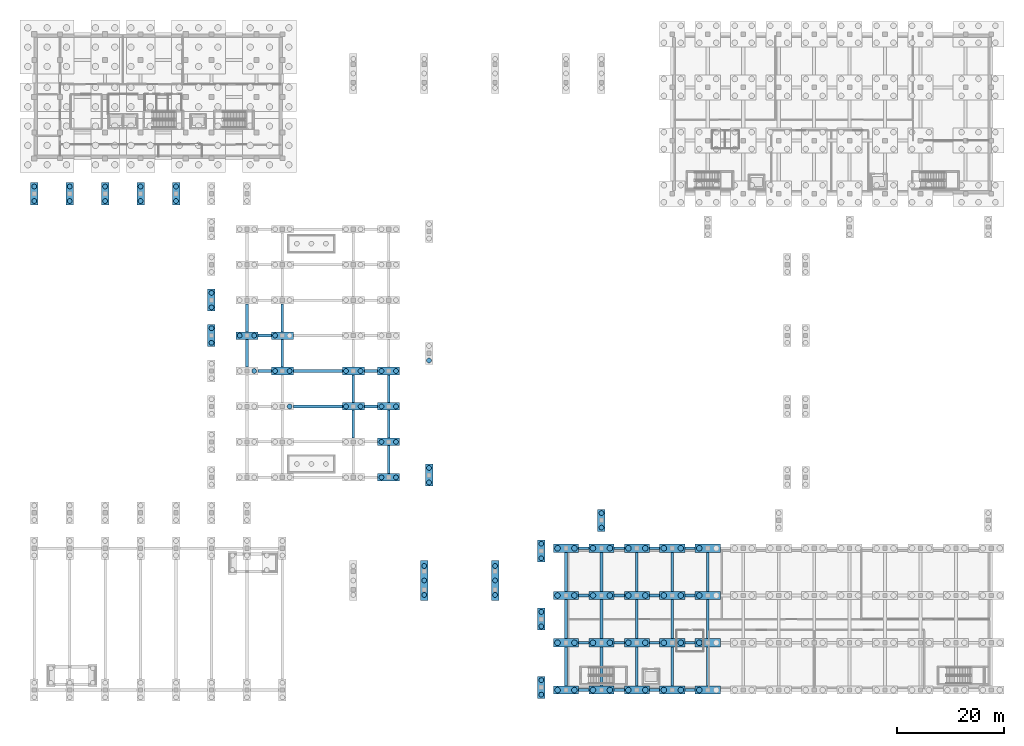
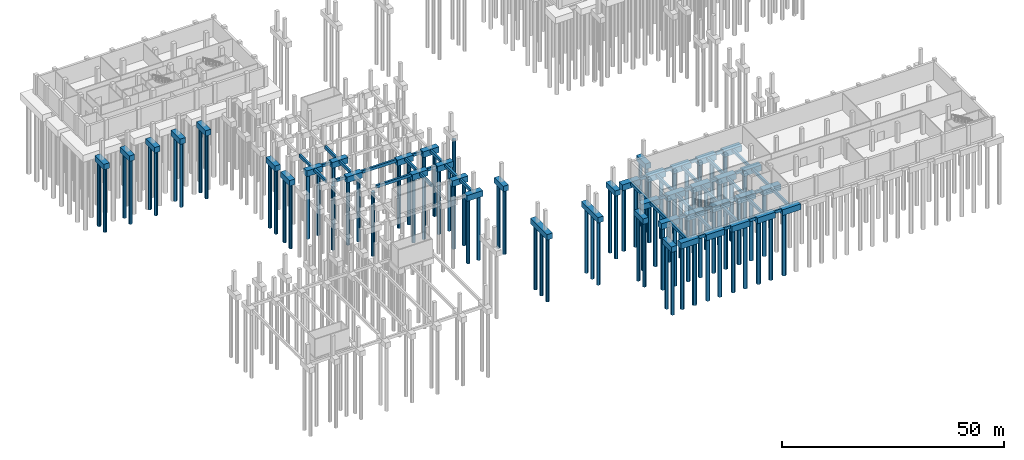
# One storey, part 2 of 23: 89 footings, 86 piles.
"""IFC4 building model written with IfcOpenShell, lengths in metres."""

from ifc_helpers import new_model, si_unit, direction, frame, origin, origin_2d, place, context, subcontext, project, spatial, rectangle, circle, extrude, material, material_profile, profile_set, type_object, element, save


model = new_model("IFC4")

# Units and contexts
model_context = context("Model", 3, precision=1e-05, world=origin(), true_north=direction((0.0, 1.0)))
body_context = subcontext(model_context, "Body", "Model", "MODEL_VIEW")
ifc_project = project(units=[si_unit("LENGTHUNIT", "METRE"), si_unit("AREAUNIT", "SQUARE_METRE"), si_unit("VOLUMEUNIT", "CUBIC_METRE"), si_unit("PLANEANGLEUNIT", "RADIAN"), si_unit("MASSUNIT", "GRAM", prefix="KILO")], contexts=[model_context])

# Site, building, storey
site_placement = place(None, origin())
site = spatial("IfcSite", under=ifc_project, at=site_placement, CompositionType="ELEMENT")
building_placement = place(site_placement, origin())
building = spatial("IfcBuilding", under=site, at=building_placement, Name="Dornvale Research Institute", CompositionType="ELEMENT")
storey_placement = place(building_placement, frame((0.0, 0.0, -5.39990234375)))
storey = spatial("IfcBuildingStorey", under=building, at=storey_placement, Name="B1", CompositionType="ELEMENT", Elevation=-5.39990234375)

# Piles
ifc_material_1 = material(Name="Concrete f'c 35 MPa (C30/37)", Category="concrete")
ifc_material_profile_1 = material_profile(ifc_material_1, circle(Radius=0.52490234375, at=origin_2d()), Name="CIDH PILE D1050")
ifc_profile_set_1 = profile_set([ifc_material_profile_1], Name="Concrete f'c 35 MPa (C30/37)")
pile_type_1 = type_object("IfcPileType", Name="BoredPile_CIDH_1050", PredefinedType="BORED", material=ifc_profile_set_1)
for number, where, z_axis, x_axis, name in (
    (1, (97.425048828125, 0.0, -1.97998046875), (0.0, 0.0, -1.0), (1.0, 0.0, 0.0), "CIDH bored pile P-02 #19"),
    (2, (100.574951171875, 0.0, -1.97998046875), (0.0, 0.0, -1.0), (1.0, 0.0, 0.0), "CIDH bored pile P-02 #20"),
    (3, (104.02490234375, 0.0, -1.97998046875), (0.0, 0.0, -1.0), (1.0, 0.0, 0.0), "CIDH bored pile P-02 #21"),
    (4, (107.175048828125, 0.0, -1.97998046875), (0.0, 0.0, -1.0), (1.0, 0.0, 0.0), "CIDH bored pile P-02 #22"),
    (5, (110.625, 0.0, -1.97998046875), (0.0, 0.0, -1.0), (1.0, 0.0, 0.0), "CIDH bored pile P-02 #23"),
    (6, (113.77490234375, 0.0, -1.97998046875), (0.0, 0.0, -1.0), (1.0, 0.0, 0.0), "CIDH bored pile P-02 #24"),
    (7, (117.22509765625, 0.0, -1.97998046875), (0.0, 0.0, -1.0), (1.0, 0.0, 0.0), "CIDH bored pile P-02 #25"),
    (8, (120.375, 0.0, -1.97998046875), (0.0, 0.0, -1.0), (1.0, 0.0, 0.0), "CIDH bored pile P-02 #26"),
    (9, (123.824951171875, 0.0, -1.97998046875), (0.0, 0.0, -1.0), (1.0, 0.0, 0.0), "CIDH bored pile P-02 #27"),
    (10, (97.425048828125, 8.804931640625, -1.97998046875), (0.0, 0.0, -1.0), (1.0, 0.0, 0.0), "CIDH bored pile P-02 #45"),
    (11, (100.574951171875, 8.804931640625, -1.97998046875), (0.0, 0.0, -1.0), (1.0, 0.0, 0.0), "CIDH bored pile P-02 #46"),
    (12, (104.02490234375, 8.804931640625, -1.97998046875), (0.0, 0.0, -1.0), (1.0, 0.0, 0.0), "CIDH bored pile P-02 #47"),
    (13, (107.175048828125, 8.804931640625, -1.97998046875), (0.0, 0.0, -1.0), (1.0, 0.0, 0.0), "CIDH bored pile P-02 #48"),
    (14, (110.625, 8.804931640625, -1.97998046875), (0.0, 0.0, -1.0), (1.0, 0.0, 0.0), "CIDH bored pile P-02 #49"),
    (15, (113.77490234375, 8.804931640625, -1.97998046875), (0.0, 0.0, -1.0), (1.0, 0.0, 0.0), "CIDH bored pile P-02 #50"),
    (16, (117.22509765625, 8.804931640625, -1.97998046875), (0.0, 0.0, -1.0), (1.0, 0.0, 0.0), "CIDH bored pile P-02 #51"),
    (17, (120.375, 8.804931640625, -1.97998046875), (0.0, 0.0, -1.0), (1.0, 0.0, 0.0), "CIDH bored pile P-02 #52"),
    (18, (123.824951171875, 8.804931640625, -1.97998046875), (0.0, 0.0, -1.0), (1.0, 0.0, 0.0), "CIDH bored pile P-02 #53"),
    (19, (97.425048828125, 17.60498046875, -1.97998046875), (0.0, 0.0, -1.0), (1.0, 0.0, 0.0), "CIDH bored pile P-02 #73"),
    (20, (100.574951171875, 17.60498046875, -1.97998046875), (0.0, 0.0, -1.0), (1.0, 0.0, 0.0), "CIDH bored pile P-02 #74"),
    (21, (104.02490234375, 17.60498046875, -1.97998046875), (0.0, 0.0, -1.0), (1.0, 0.0, 0.0), "CIDH bored pile P-02 #75"),
    (22, (107.175048828125, 17.60498046875, -1.97998046875), (0.0, 0.0, -1.0), (1.0, 0.0, 0.0), "CIDH bored pile P-02 #76"),
    (23, (110.625, 17.60498046875, -1.97998046875), (0.0, 0.0, -1.0), (1.0, 0.0, 0.0), "CIDH bored pile P-02 #77"),
    (24, (113.77490234375, 17.60498046875, -1.97998046875), (0.0, 0.0, -1.0), (1.0, 0.0, 0.0), "CIDH bored pile P-02 #78"),
    (25, (117.22509765625, 17.60498046875, -1.97998046875), (0.0, 0.0, -1.0), (1.0, 0.0, 0.0), "CIDH bored pile P-02 #79"),
    (26, (120.375, 17.60498046875, -1.97998046875), (0.0, 0.0, -1.0), (1.0, 0.0, 0.0), "CIDH bored pile P-02 #80"),
    (27, (123.824951171875, 17.60498046875, -1.97998046875), (0.0, 0.0, -1.0), (1.0, 0.0, 0.0), "CIDH bored pile P-02 #81"),
    (28, (97.425048828125, 26.39501953125, -1.97998046875), (0.0, 0.0, -1.0), (1.0, 0.0, 0.0), "CIDH bored pile P-02 #117"),
    (29, (100.574951171875, 26.39501953125, -1.97998046875), (0.0, 0.0, -1.0), (1.0, 0.0, 0.0), "CIDH bored pile P-02 #118"),
    (30, (104.02490234375, 26.39501953125, -1.97998046875), (0.0, 0.0, -1.0), (1.0, 0.0, 0.0), "CIDH bored pile P-02 #119"),
    (31, (107.175048828125, 26.39501953125, -1.97998046875), (0.0, 0.0, -1.0), (1.0, 0.0, 0.0), "CIDH bored pile P-02 #120"),
    (32, (110.625, 26.39501953125, -1.97998046875), (0.0, 0.0, -1.0), (1.0, 0.0, 0.0), "CIDH bored pile P-02 #121"),
    (33, (113.77490234375, 26.39501953125, -1.97998046875), (0.0, 0.0, -1.0), (1.0, 0.0, 0.0), "CIDH bored pile P-02 #122"),
    (34, (117.22509765625, 26.39501953125, -1.97998046875), (0.0, 0.0, -1.0), (1.0, 0.0, 0.0), "CIDH bored pile P-02 #123"),
    (35, (120.375, 26.39501953125, -1.97998046875), (0.0, 0.0, -1.0), (1.0, 0.0, 0.0), "CIDH bored pile P-02 #124"),
    (36, (123.824951171875, 26.39501953125, -1.97998046875), (0.0, 0.0, -1.0), (1.0, 0.0, 0.0), "CIDH bored pile P-02 #125"),
):
    element("IfcPile", number, at=place(storey_placement, frame(where, z_axis=z_axis, x_axis=x_axis)), inside=storey, type_object=pile_type_1, Name=name, PredefinedType="BORED", context=body_context, shape_type="SweptSolid", body=[
        extrude(circle(Radius=0.52490234375, at=origin_2d()), origin(), (0.0, 0.0, 1.0), 17.1201171875),
    ])
ifc_material_2 = material(Name="Concrete f'c 35 MPa (C30/37)", Category="concrete")
ifc_material_profile_2 = material_profile(ifc_material_2, circle(Radius=0.449951171875, at=origin_2d()), Name="CIDH PILE D900")
ifc_profile_set_2 = profile_set([ifc_material_profile_2], Name="Concrete f'c 35 MPa (C30/37)")
pile_type_2 = type_object("IfcPileType", Name="BoredPile_CIDH_900", PredefinedType="BORED", material=ifc_profile_set_2)
for number, where, z_axis, x_axis, name in (
    (37, (94.39990234375, -0.85009765625, -1.380126953125), (0.0, 0.0, -1.0), (1.0, 0.0, 0.0), "CIDH bored pile P-03 #17"),
    (38, (94.39990234375, 1.85009765625, -1.380126953125), (0.0, 0.0, -1.0), (1.0, 0.0, 0.0), "CIDH bored pile P-03 #18"),
    (39, (94.39990234375, 11.85009765625, -1.380126953125), (0.0, 0.0, -1.0), (1.0, 0.0, 0.0), "CIDH bored pile P-03 #71"),
    (40, (94.39990234375, 14.550048828125, -1.380126953125), (0.0, 0.0, -1.0), (1.0, 0.0, 0.0), "CIDH bored pile P-03 #72"),
    (41, (94.39990234375, 24.550048828125, -1.380126953125), (0.0, 0.0, -1.0), (1.0, 0.0, 0.0), "CIDH bored pile P-03 #99"),
    (42, (94.39990234375, 27.25, -1.380126953125), (0.0, 0.0, -1.0), (1.0, 0.0, 0.0), "CIDH bored pile P-03 #100"),
    (43, (105.60009765625, 30.25, -1.380126953125), (0.0, 0.0, -1.0), (1.0, 0.0, 0.0), "CIDH bored pile P-03 #143"),
    (44, (105.60009765625, 32.949951171875, -1.380126953125), (0.0, 0.0, -1.0), (1.0, 0.0, 0.0), "CIDH bored pile P-03 #144"),
    (45, (73.5, 38.64990234375, -1.380126953125), (0.0, 0.0, -1.0), (1.0, 0.0, 0.0), "CIDH bored pile P-03 #165"),
    (46, (73.5, 41.35009765625, -1.380126953125), (0.0, 0.0, -1.0), (1.0, 0.0, 0.0), "CIDH bored pile P-03 #166"),
):
    element("IfcPile", number, at=place(storey_placement, frame(where, z_axis=z_axis, x_axis=x_axis)), inside=storey, type_object=pile_type_2, Name=name, PredefinedType="BORED", context=body_context, shape_type="SweptSolid", body=[
        extrude(circle(Radius=0.449951171875, at=origin_2d()), origin(), (0.0, 0.0, 1.0), 17.719970703125),
    ])
for number, where, z_axis, x_axis, name in (
    (47, (64.64990234375, 39.60009765625, -1.47998046875), (0.0, 0.0, -1.0), (1.0, 0.0, 0.0), "CIDH bored pile P-03 #173"),
    (48, (67.35009765625, 39.60009765625, -1.47998046875), (0.0, 0.0, -1.0), (1.0, 0.0, 0.0), "CIDH bored pile P-03 #174"),
    (49, (64.64990234375, 46.199951171875, -1.47998046875), (0.0, 0.0, -1.0), (1.0, 0.0, 0.0), "CIDH bored pile P-03 #183"),
    (50, (67.35009765625, 46.199951171875, -1.47998046875), (0.0, 0.0, -1.0), (1.0, 0.0, 0.0), "CIDH bored pile P-03 #184"),
    (51, (47.550048828125, 52.800048828125, -1.47998046875), (0.0, 0.0, -1.0), (1.0, 0.0, 0.0), "CIDH bored pile P-03 #190"),
    (52, (58.050048828125, 52.800048828125, -1.47998046875), (0.0, 0.0, -1.0), (1.0, 0.0, 0.0), "CIDH bored pile P-03 #191"),
    (53, (60.75, 52.800048828125, -1.47998046875), (0.0, 0.0, -1.0), (1.0, 0.0, 0.0), "CIDH bored pile P-03 #192"),
    (54, (64.64990234375, 52.800048828125, -1.47998046875), (0.0, 0.0, -1.0), (1.0, 0.0, 0.0), "CIDH bored pile P-03 #193"),
    (55, (67.35009765625, 52.800048828125, -1.47998046875), (0.0, 0.0, -1.0), (1.0, 0.0, 0.0), "CIDH bored pile P-03 #194"),
    (56, (40.949951171875, 59.39990234375, -1.47998046875), (0.0, 0.0, -1.0), (1.0, 0.0, 0.0), "CIDH bored pile P-03 #198"),
    (57, (44.85009765625, 59.39990234375, -1.47998046875), (0.0, 0.0, -1.0), (1.0, 0.0, 0.0), "CIDH bored pile P-03 #199"),
    (58, (47.550048828125, 59.39990234375, -1.47998046875), (0.0, 0.0, -1.0), (1.0, 0.0, 0.0), "CIDH bored pile P-03 #200"),
    (59, (58.050048828125, 59.39990234375, -1.47998046875), (0.0, 0.0, -1.0), (1.0, 0.0, 0.0), "CIDH bored pile P-03 #201"),
    (60, (60.75, 59.39990234375, -1.47998046875), (0.0, 0.0, -1.0), (1.0, 0.0, 0.0), "CIDH bored pile P-03 #202"),
    (61, (64.64990234375, 59.39990234375, -1.47998046875), (0.0, 0.0, -1.0), (1.0, 0.0, 0.0), "CIDH bored pile P-03 #203"),
    (62, (67.35009765625, 59.39990234375, -1.47998046875), (0.0, 0.0, -1.0), (1.0, 0.0, 0.0), "CIDH bored pile P-03 #204"),
):
    element("IfcPile", number, at=place(storey_placement, frame(where, z_axis=z_axis, x_axis=x_axis)), inside=storey, type_object=pile_type_2, Name=name, PredefinedType="BORED", context=body_context, shape_type="SweptSolid", body=[
        extrude(circle(Radius=0.449951171875, at=origin_2d()), origin(), (0.0, 0.0, 1.0), 17.6201171875),
    ])
for number, where, z_axis, x_axis, name in (
    (63, (73.5, 61.35009765625, -1.380126953125), (0.0, 0.0, -1.0), (1.0, 0.0, 0.0), "CIDH bored pile P-03 #205"),
    (64, (33.0, 64.64990234375, -1.380126953125), (0.0, 0.0, -1.0), (1.0, 0.0, 0.0), "CIDH bored pile P-03 #207"),
    (65, (33.0, 67.35009765625, -1.380126953125), (0.0, 0.0, -1.0), (1.0, 0.0, 0.0), "CIDH bored pile P-03 #208"),
):
    element("IfcPile", number, at=place(storey_placement, frame(where, z_axis=z_axis, x_axis=x_axis)), inside=storey, type_object=pile_type_2, Name=name, PredefinedType="BORED", context=body_context, shape_type="SweptSolid", body=[
        extrude(circle(Radius=0.449951171875, at=origin_2d()), origin(), (0.0, 0.0, 1.0), 17.719970703125),
    ])
for number, where, z_axis, x_axis, name in (
    (66, (38.25, 66.0, -1.47998046875), (0.0, 0.0, -1.0), (1.0, 0.0, 0.0), "CIDH bored pile P-03 #209"),
    (67, (40.949951171875, 66.0, -1.47998046875), (0.0, 0.0, -1.0), (1.0, 0.0, 0.0), "CIDH bored pile P-03 #210"),
    (68, (44.85009765625, 66.0, -1.47998046875), (0.0, 0.0, -1.0), (1.0, 0.0, 0.0), "CIDH bored pile P-03 #211"),
):
    element("IfcPile", number, at=place(storey_placement, frame(where, z_axis=z_axis, x_axis=x_axis)), inside=storey, type_object=pile_type_2, Name=name, PredefinedType="BORED", context=body_context, shape_type="SweptSolid", body=[
        extrude(circle(Radius=0.449951171875, at=origin_2d()), origin(), (0.0, 0.0, 1.0), 17.6201171875),
    ])
for number, where, z_axis, x_axis, name in (
    (69, (33.0, 71.25, -1.380126953125), (0.0, 0.0, -1.0), (1.0, 0.0, 0.0), "CIDH bored pile P-03 #217"),
    (70, (33.0, 73.949951171875, -1.380126953125), (0.0, 0.0, -1.0), (1.0, 0.0, 0.0), "CIDH bored pile P-03 #218"),
    (71, (0.0, 91.050048828125, -1.380126953125), (0.0, 0.0, -1.0), (1.0, 0.0, 0.0), "CIDH bored pile P-03 #293"),
    (72, (0.0, 93.75, -1.380126953125), (0.0, 0.0, -1.0), (1.0, 0.0, 0.0), "CIDH bored pile P-03 #294"),
    (73, (6.60009765625, 91.050048828125, -1.380126953125), (0.0, 0.0, -1.0), (1.0, 0.0, 0.0), "CIDH bored pile P-03 #295"),
    (74, (6.60009765625, 93.75, -1.380126953125), (0.0, 0.0, -1.0), (1.0, 0.0, 0.0), "CIDH bored pile P-03 #296"),
    (75, (13.199951171875, 91.050048828125, -1.380126953125), (0.0, 0.0, -1.0), (1.0, 0.0, 0.0), "CIDH bored pile P-03 #297"),
    (76, (13.199951171875, 93.75, -1.380126953125), (0.0, 0.0, -1.0), (1.0, 0.0, 0.0), "CIDH bored pile P-03 #298"),
    (77, (19.800048828125, 91.050048828125, -1.380126953125), (0.0, 0.0, -1.0), (1.0, 0.0, 0.0), "CIDH bored pile P-03 #299"),
    (78, (19.800048828125, 93.75, -1.380126953125), (0.0, 0.0, -1.0), (1.0, 0.0, 0.0), "CIDH bored pile P-03 #300"),
    (79, (26.39990234375, 91.050048828125, -1.380126953125), (0.0, 0.0, -1.0), (1.0, 0.0, 0.0), "CIDH bored pile P-03 #301"),
    (80, (26.39990234375, 93.75, -1.380126953125), (0.0, 0.0, -1.0), (1.0, 0.0, 0.0), "CIDH bored pile P-03 #302"),
    (81, (72.60009765625, 17.699951171875, -1.380126953125), (0.0, 0.0, -1.0), (1.0, 0.0, 0.0), "Bridge CIDH bored pile P-03 #4"),
    (82, (72.60009765625, 20.39990234375, -1.380126953125), (0.0, 0.0, -1.0), (1.0, 0.0, 0.0), "Bridge CIDH bored pile P-03 #5"),
    (83, (72.60009765625, 23.10009765625, -1.380126953125), (0.0, 0.0, -1.0), (1.0, 0.0, 0.0), "Bridge CIDH bored pile P-03 #6"),
    (84, (85.800048828125, 17.699951171875, -1.380126953125), (0.0, 0.0, -1.0), (1.0, 0.0, 0.0), "Bridge CIDH bored pile P-03 #7"),
    (85, (85.800048828125, 20.39990234375, -1.380126953125), (0.0, 0.0, -1.0), (1.0, 0.0, 0.0), "Bridge CIDH bored pile P-03 #8"),
    (86, (85.800048828125, 23.10009765625, -1.380126953125), (0.0, 0.0, -1.0), (1.0, 0.0, 0.0), "Bridge CIDH bored pile P-03 #9"),
):
    element("IfcPile", number, at=place(storey_placement, frame(where, z_axis=z_axis, x_axis=x_axis)), inside=storey, type_object=pile_type_2, Name=name, PredefinedType="BORED", context=body_context, shape_type="SweptSolid", body=[
        extrude(circle(Radius=0.449951171875, at=origin_2d()), origin(), (0.0, 0.0, 1.0), 17.719970703125),
    ])

# Footings
ifc_material_3 = material(Name="Concrete f'c 35 MPa (C30/37)", Category="concrete")
footing_type_1 = type_object("IfcFootingType", Name="FootingBeam_Tie_500x800", PredefinedType="FOOTING_BEAM", material=ifc_material_3)
for number, where, z_axis, x_axis, name in (
    (87, (102.300048828125, 0.0, -1.30029296875), (0.0, 0.0, 1.0), (1.0, 0.0, 0.0), "Seismic tie beam #86"),
    (88, (108.89990234375, 0.0, -1.30029296875), (0.0, 0.0, 1.0), (1.0, 0.0, 0.0), "Seismic tie beam #87"),
    (89, (115.5, 0.0, -1.30029296875), (0.0, 0.0, 1.0), (1.0, 0.0, 0.0), "Seismic tie beam #88"),
    (90, (122.10009765625, 0.0, -1.30029296875), (0.0, 0.0, 1.0), (1.0, 0.0, 0.0), "Seismic tie beam #89"),
    (91, (102.300048828125, 8.800048828125, -1.30029296875), (0.0, 0.0, 1.0), (1.0, 0.0, 0.0), "Seismic tie beam #98"),
    (92, (108.89990234375, 8.800048828125, -1.30029296875), (0.0, 0.0, 1.0), (1.0, 0.0, 0.0), "Seismic tie beam #99"),
    (93, (115.5, 8.800048828125, -1.30029296875), (0.0, 0.0, 1.0), (1.0, 0.0, 0.0), "Seismic tie beam #100"),
    (94, (122.10009765625, 8.800048828125, -1.30029296875), (0.0, 0.0, 1.0), (1.0, 0.0, 0.0), "Seismic tie beam #101"),
    (95, (102.300048828125, 17.60009765625, -1.30029296875), (0.0, 0.0, 1.0), (1.0, 0.0, 0.0), "Seismic tie beam #110"),
    (96, (108.89990234375, 17.60009765625, -1.30029296875), (0.0, 0.0, 1.0), (1.0, 0.0, 0.0), "Seismic tie beam #111"),
    (97, (115.5, 17.60009765625, -1.30029296875), (0.0, 0.0, 1.0), (1.0, 0.0, 0.0), "Seismic tie beam #112"),
    (98, (122.10009765625, 17.60009765625, -1.30029296875), (0.0, 0.0, 1.0), (1.0, 0.0, 0.0), "Seismic tie beam #113"),
    (99, (102.300048828125, 26.39990234375, -1.30029296875), (0.0, 0.0, 1.0), (1.0, 0.0, 0.0), "Seismic tie beam #122"),
    (100, (108.89990234375, 26.39990234375, -1.30029296875), (0.0, 0.0, 1.0), (1.0, 0.0, 0.0), "Seismic tie beam #123"),
    (101, (115.5, 26.39990234375, -1.30029296875), (0.0, 0.0, 1.0), (1.0, 0.0, 0.0), "Seismic tie beam #124"),
    (102, (122.10009765625, 26.39990234375, -1.30029296875), (0.0, 0.0, 1.0), (1.0, 0.0, 0.0), "Seismic tie beam #125"),
):
    element("IfcFooting", number, at=place(storey_placement, frame(where, z_axis=z_axis, x_axis=x_axis)), inside=storey, type_object=footing_type_1, Name=name, PredefinedType="FOOTING_BEAM", context=body_context, shape_type="SweptSolid", body=[
        extrude(rectangle(XDim=1.89990234375, YDim=0.5, at=origin_2d()), origin(), (0.0, 0.0, 1.0), 0.800048828125),
    ])
for number, where, z_axis, x_axis, name in (
    (103, (99.0, 4.405029296875, -1.30029296875), (0.0, 0.0, 1.0), (0.0, 1.0, 0.0), "Seismic tie beam #134"),
    (104, (99.0, 13.205078125, -1.30029296875), (0.0, 0.0, 1.0), (0.0, 1.0, 0.0), "Seismic tie beam #135"),
):
    element("IfcFooting", number, at=place(storey_placement, frame(where, z_axis=z_axis, x_axis=x_axis)), inside=storey, type_object=footing_type_1, Name=name, PredefinedType="FOOTING_BEAM", context=body_context, shape_type="SweptSolid", body=[
        extrude(rectangle(XDim=7.25, YDim=0.5, at=origin_2d()), origin(), (0.0, 0.0, 1.0), 0.800048828125),
    ])
footing_1_placement = place(storey_placement, frame((99.0, 22.0, -1.30029296875), z_axis=(0.0, 0.0, 1.0), x_axis=(0.0, 1.0, 0.0)))
element("IfcFooting", 105, at=footing_1_placement, inside=storey, type_object=footing_type_1, Name="Seismic tie beam #136", PredefinedType="FOOTING_BEAM", context=body_context, shape_type="SweptSolid", body=[
    extrude(rectangle(XDim=7.239990234375, YDim=0.5, at=origin_2d()), origin(), (0.0, 0.0, 1.0), 0.800048828125),
])
for number, where, z_axis, x_axis, name in (
    (106, (105.60009765625, 4.405029296875, -1.30029296875), (0.0, 0.0, 1.0), (0.0, 1.0, 0.0), "Seismic tie beam #137"),
    (107, (105.60009765625, 13.205078125, -1.30029296875), (0.0, 0.0, 1.0), (0.0, 1.0, 0.0), "Seismic tie beam #138"),
):
    element("IfcFooting", number, at=place(storey_placement, frame(where, z_axis=z_axis, x_axis=x_axis)), inside=storey, type_object=footing_type_1, Name=name, PredefinedType="FOOTING_BEAM", context=body_context, shape_type="SweptSolid", body=[
        extrude(rectangle(XDim=7.25, YDim=0.5, at=origin_2d()), origin(), (0.0, 0.0, 1.0), 0.800048828125),
    ])
footing_2_placement = place(storey_placement, frame((105.60009765625, 22.0, -1.30029296875), z_axis=(0.0, 0.0, 1.0), x_axis=(0.0, 1.0, 0.0)))
element("IfcFooting", 108, at=footing_2_placement, inside=storey, type_object=footing_type_1, Name="Seismic tie beam #139", PredefinedType="FOOTING_BEAM", context=body_context, shape_type="SweptSolid", body=[
    extrude(rectangle(XDim=7.239990234375, YDim=0.5, at=origin_2d()), origin(), (0.0, 0.0, 1.0), 0.800048828125),
])
for number, where, z_axis, x_axis, name in (
    (109, (112.199951171875, 4.405029296875, -1.30029296875), (0.0, 0.0, 1.0), (0.0, 1.0, 0.0), "Seismic tie beam #140"),
    (110, (112.199951171875, 13.205078125, -1.30029296875), (0.0, 0.0, 1.0), (0.0, 1.0, 0.0), "Seismic tie beam #141"),
):
    element("IfcFooting", number, at=place(storey_placement, frame(where, z_axis=z_axis, x_axis=x_axis)), inside=storey, type_object=footing_type_1, Name=name, PredefinedType="FOOTING_BEAM", context=body_context, shape_type="SweptSolid", body=[
        extrude(rectangle(XDim=7.25, YDim=0.5, at=origin_2d()), origin(), (0.0, 0.0, 1.0), 0.800048828125),
    ])
footing_3_placement = place(storey_placement, frame((112.199951171875, 22.0, -1.30029296875), z_axis=(0.0, 0.0, 1.0), x_axis=(0.0, 1.0, 0.0)))
element("IfcFooting", 111, at=footing_3_placement, inside=storey, type_object=footing_type_1, Name="Seismic tie beam #142", PredefinedType="FOOTING_BEAM", context=body_context, shape_type="SweptSolid", body=[
    extrude(rectangle(XDim=7.239990234375, YDim=0.5, at=origin_2d()), origin(), (0.0, 0.0, 1.0), 0.800048828125),
])
for number, where, z_axis, x_axis, name in (
    (112, (118.800048828125, 4.405029296875, -1.30029296875), (0.0, 0.0, 1.0), (0.0, 1.0, 0.0), "Seismic tie beam #143"),
    (113, (118.800048828125, 13.205078125, -1.30029296875), (0.0, 0.0, 1.0), (0.0, 1.0, 0.0), "Seismic tie beam #144"),
):
    element("IfcFooting", number, at=place(storey_placement, frame(where, z_axis=z_axis, x_axis=x_axis)), inside=storey, type_object=footing_type_1, Name=name, PredefinedType="FOOTING_BEAM", context=body_context, shape_type="SweptSolid", body=[
        extrude(rectangle(XDim=7.25, YDim=0.5, at=origin_2d()), origin(), (0.0, 0.0, 1.0), 0.800048828125),
    ])
footing_4_placement = place(storey_placement, frame((118.800048828125, 22.0, -1.30029296875), z_axis=(0.0, 0.0, 1.0), x_axis=(0.0, 1.0, 0.0)))
element("IfcFooting", 114, at=footing_4_placement, inside=storey, type_object=footing_type_1, Name="Seismic tie beam #145", PredefinedType="FOOTING_BEAM", context=body_context, shape_type="SweptSolid", body=[
    extrude(rectangle(XDim=7.239990234375, YDim=0.5, at=origin_2d()), origin(), (0.0, 0.0, 1.0), 0.800048828125),
])
for number, where, z_axis, x_axis, name in (
    (115, (125.39990234375, 4.405029296875, -1.30029296875), (0.0, 0.0, 1.0), (0.0, 1.0, 0.0), "Seismic tie beam #146"),
    (116, (125.39990234375, 13.205078125, -1.30029296875), (0.0, 0.0, 1.0), (0.0, 1.0, 0.0), "Seismic tie beam #147"),
):
    element("IfcFooting", number, at=place(storey_placement, frame(where, z_axis=z_axis, x_axis=x_axis)), inside=storey, type_object=footing_type_1, Name=name, PredefinedType="FOOTING_BEAM", context=body_context, shape_type="SweptSolid", body=[
        extrude(rectangle(XDim=7.25, YDim=0.5, at=origin_2d()), origin(), (0.0, 0.0, 1.0), 0.800048828125),
    ])
footing_5_placement = place(storey_placement, frame((125.39990234375, 22.0, -1.30029296875), z_axis=(0.0, 0.0, 1.0), x_axis=(0.0, 1.0, 0.0)))
element("IfcFooting", 117, at=footing_5_placement, inside=storey, type_object=footing_type_1, Name="Seismic tie beam #148", PredefinedType="FOOTING_BEAM", context=body_context, shape_type="SweptSolid", body=[
    extrude(rectangle(XDim=7.239990234375, YDim=0.5, at=origin_2d()), origin(), (0.0, 0.0, 1.0), 0.800048828125),
])
footing_6_placement = place(storey_placement, frame((52.800048828125, 52.800048828125, -0.80029296875), z_axis=(0.0, 0.0, 1.0), x_axis=(1.0, 0.0, 0.0)))
element("IfcFooting", 118, at=footing_6_placement, inside=storey, type_object=footing_type_1, Name="Seismic tie beam #180", PredefinedType="FOOTING_BEAM", context=body_context, shape_type="SweptSolid", body=[
    extrude(rectangle(XDim=9.10009765625, YDim=0.5, at=origin_2d()), origin(), (0.0, 0.0, 1.0), 0.800048828125),
])
for number, where, z_axis, x_axis, name in (
    (119, (62.699951171875, 52.800048828125, -0.80029296875), (0.0, 0.0, 1.0), (1.0, 0.0, 0.0), "Seismic tie beam #181"),
    (120, (42.89990234375, 59.39990234375, -0.80029296875), (0.0, 0.0, 1.0), (1.0, 0.0, 0.0), "Seismic tie beam #182"),
):
    element("IfcFooting", number, at=place(storey_placement, frame(where, z_axis=z_axis, x_axis=x_axis)), inside=storey, type_object=footing_type_1, Name=name, PredefinedType="FOOTING_BEAM", context=body_context, shape_type="SweptSolid", body=[
        extrude(rectangle(XDim=2.5, YDim=0.5, at=origin_2d()), origin(), (0.0, 0.0, 1.0), 0.800048828125),
    ])
footing_7_placement = place(storey_placement, frame((52.800048828125, 59.39990234375, -0.80029296875), z_axis=(0.0, 0.0, 1.0), x_axis=(1.0, 0.0, 0.0)))
element("IfcFooting", 121, at=footing_7_placement, inside=storey, type_object=footing_type_1, Name="Seismic tie beam #183", PredefinedType="FOOTING_BEAM", context=body_context, shape_type="SweptSolid", body=[
    extrude(rectangle(XDim=9.10009765625, YDim=0.5, at=origin_2d()), origin(), (0.0, 0.0, 1.0), 0.800048828125),
])
for number, where, z_axis, x_axis, name in (
    (122, (62.699951171875, 59.39990234375, -0.80029296875), (0.0, 0.0, 1.0), (1.0, 0.0, 0.0), "Seismic tie beam #184"),
    (123, (42.89990234375, 66.0, -0.80029296875), (0.0, 0.0, 1.0), (1.0, 0.0, 0.0), "Seismic tie beam #185"),
):
    element("IfcFooting", number, at=place(storey_placement, frame(where, z_axis=z_axis, x_axis=x_axis)), inside=storey, type_object=footing_type_1, Name=name, PredefinedType="FOOTING_BEAM", context=body_context, shape_type="SweptSolid", body=[
        extrude(rectangle(XDim=2.5, YDim=0.5, at=origin_2d()), origin(), (0.0, 0.0, 1.0), 0.800048828125),
    ])
for number, where, z_axis, x_axis, name in (
    (124, (39.60009765625, 62.699951171875, -0.80029296875), (0.0, 0.0, 1.0), (0.0, 1.0, 0.0), "Seismic tie beam #200"),
    (125, (39.60009765625, 69.300048828125, -0.80029296875), (0.0, 0.0, 1.0), (0.0, 1.0, 0.0), "Seismic tie beam #201"),
    (126, (46.199951171875, 62.699951171875, -0.80029296875), (0.0, 0.0, 1.0), (0.0, 1.0, 0.0), "Seismic tie beam #207"),
    (127, (46.199951171875, 69.300048828125, -0.80029296875), (0.0, 0.0, 1.0), (0.0, 1.0, 0.0), "Seismic tie beam #208"),
    (128, (59.39990234375, 49.5, -0.80029296875), (0.0, 0.0, 1.0), (0.0, 1.0, 0.0), "Seismic tie beam #212"),
    (129, (59.39990234375, 56.10009765625, -0.80029296875), (0.0, 0.0, 1.0), (0.0, 1.0, 0.0), "Seismic tie beam #213"),
    (130, (66.0, 42.89990234375, -0.80029296875), (0.0, 0.0, 1.0), (0.0, 1.0, 0.0), "Seismic tie beam #218"),
    (131, (66.0, 49.5, -0.80029296875), (0.0, 0.0, 1.0), (0.0, 1.0, 0.0), "Seismic tie beam #219"),
    (132, (66.0, 56.10009765625, -0.80029296875), (0.0, 0.0, 1.0), (0.0, 1.0, 0.0), "Seismic tie beam #220"),
):
    element("IfcFooting", number, at=place(storey_placement, frame(where, z_axis=z_axis, x_axis=x_axis)), inside=storey, type_object=footing_type_1, Name=name, PredefinedType="FOOTING_BEAM", context=body_context, shape_type="SweptSolid", body=[
        extrude(rectangle(XDim=5.199951171875, YDim=0.5, at=origin_2d()), origin(), (0.0, 0.0, 1.0), 0.800048828125),
    ])
ifc_material_4 = material(Name="Concrete f'c 35 MPa (C30/37)", Category="concrete")
footing_type_2 = type_object("IfcFootingType", Name="PileCap_1400x4100x1500", PredefinedType="PILE_CAP", material=ifc_material_4)
for number, where, z_axis, x_axis, name in (
    (133, (94.39990234375, 0.5, -1.5), (0.0, 0.0, 1.0), (1.0, 0.0, 0.0), "Pile cap PC-01 #9"),
    (134, (94.39990234375, 13.199951171875, -1.5), (0.0, 0.0, 1.0), (1.0, 0.0, 0.0), "Pile cap PC-01 #36"),
    (135, (94.39990234375, 25.89990234375, -1.5), (0.0, 0.0, 1.0), (1.0, 0.0, 0.0), "Pile cap PC-01 #50"),
    (136, (105.60009765625, 31.60009765625, -1.5), (0.0, 0.0, 1.0), (1.0, 0.0, 0.0), "Pile cap PC-01 #72"),
    (137, (73.5, 40.0, -1.5), (0.0, 0.0, 1.0), (1.0, 0.0, 0.0), "Pile cap PC-01 #83"),
    (138, (33.0, 66.0, -1.5), (0.0, 0.0, 1.0), (1.0, 0.0, 0.0), "Pile cap PC-01 #104"),
    (139, (33.0, 72.60009765625, -1.5), (0.0, 0.0, 1.0), (1.0, 0.0, 0.0), "Pile cap PC-01 #109"),
    (140, (0.0, 92.39990234375, -1.5), (0.0, 0.0, 1.0), (1.0, 0.0, 0.0), "Pile cap PC-01 #137"),
    (141, (6.60009765625, 92.39990234375, -1.5), (0.0, 0.0, 1.0), (1.0, 0.0, 0.0), "Pile cap PC-01 #138"),
    (142, (13.199951171875, 92.39990234375, -1.5), (0.0, 0.0, 1.0), (1.0, 0.0, 0.0), "Pile cap PC-01 #139"),
    (143, (19.800048828125, 92.39990234375, -1.5), (0.0, 0.0, 1.0), (1.0, 0.0, 0.0), "Pile cap PC-01 #140"),
    (144, (26.39990234375, 92.39990234375, -1.5), (0.0, 0.0, 1.0), (1.0, 0.0, 0.0), "Pile cap PC-01 #141"),
):
    element("IfcFooting", number, at=place(storey_placement, frame(where, z_axis=z_axis, x_axis=x_axis)), inside=storey, type_object=footing_type_2, Name=name, PredefinedType="PILE_CAP", context=body_context, shape_type="SweptSolid", body=[
        extrude(rectangle(XDim=1.39990234375, YDim=4.10009765625, at=origin_2d()), origin(), (0.0, 0.0, 1.0), 1.5),
    ])
ifc_material_5 = material(Name="Concrete f'c 35 MPa (C30/37)", Category="concrete")
footing_type_3 = type_object("IfcFootingType", Name="PileCap_1400x7500x1500", PredefinedType="PILE_CAP", material=ifc_material_5)
for number, where, z_axis, x_axis, name in (
    (145, (72.60009765625, 20.39990234375, -1.5), (0.0, 0.0, 1.0), (1.0, 0.0, 0.0), "Bridge pier pile cap PC-11 #2"),
    (146, (85.800048828125, 20.39990234375, -1.5), (0.0, 0.0, 1.0), (1.0, 0.0, 0.0), "Bridge pier pile cap PC-11 #3"),
):
    element("IfcFooting", number, at=place(storey_placement, frame(where, z_axis=z_axis, x_axis=x_axis)), inside=storey, type_object=footing_type_3, Name=name, PredefinedType="PILE_CAP", context=body_context, shape_type="SweptSolid", body=[
        extrude(rectangle(XDim=1.39990234375, YDim=7.5, at=origin_2d()), origin(), (0.0, 0.0, 1.0), 1.5),
    ])
ifc_material_6 = material(Name="Concrete f'c 35 MPa (C30/37)", Category="concrete")
footing_type_4 = type_object("IfcFootingType", Name="PileCap_4100x1400x1600", PredefinedType="PILE_CAP", material=ifc_material_6)
for number, where, z_axis, x_axis, name in (
    (147, (66.0, 39.60009765625, -1.60009765625), (0.0, 0.0, 1.0), (1.0, 0.0, 0.0), "Pile cap PC-04 #87"),
    (148, (66.0, 46.199951171875, -1.60009765625), (0.0, 0.0, 1.0), (1.0, 0.0, 0.0), "Pile cap PC-04 #92"),
    (149, (59.39990234375, 52.800048828125, -1.60009765625), (0.0, 0.0, 1.0), (1.0, 0.0, 0.0), "Pile cap PC-04 #96"),
    (150, (66.0, 52.800048828125, -1.60009765625), (0.0, 0.0, 1.0), (1.0, 0.0, 0.0), "Pile cap PC-04 #97"),
    (151, (46.199951171875, 59.39990234375, -1.60009765625), (0.0, 0.0, 1.0), (1.0, 0.0, 0.0), "Pile cap PC-04 #100"),
    (152, (59.39990234375, 59.39990234375, -1.60009765625), (0.0, 0.0, 1.0), (1.0, 0.0, 0.0), "Pile cap PC-04 #101"),
    (153, (66.0, 59.39990234375, -1.60009765625), (0.0, 0.0, 1.0), (1.0, 0.0, 0.0), "Pile cap PC-04 #102"),
    (154, (39.60009765625, 66.0, -1.60009765625), (0.0, 0.0, 1.0), (1.0, 0.0, 0.0), "Pile cap PC-04 #105"),
    (155, (46.199951171875, 66.0, -1.60009765625), (0.0, 0.0, 1.0), (1.0, 0.0, 0.0), "Pile cap PC-04 #106"),
):
    element("IfcFooting", number, at=place(storey_placement, frame(where, z_axis=z_axis, x_axis=x_axis)), inside=storey, type_object=footing_type_4, Name=name, PredefinedType="PILE_CAP", context=body_context, shape_type="SweptSolid", body=[
        extrude(rectangle(XDim=4.10009765625, YDim=1.39990234375, at=origin_2d()), origin(), (0.0, 0.0, 1.0), 1.60009765625),
    ])
ifc_material_7 = material(Name="Concrete f'c 35 MPa (C30/37)", Category="concrete")
footing_type_5 = type_object("IfcFootingType", Name="PileCap_4700x1550x1600", PredefinedType="PILE_CAP", material=ifc_material_7)
for number, where, z_axis, x_axis, name in (
    (156, (99.0, 8.804931640625, -2.10009765625), (0.0, 0.0, 1.0), (1.0, 0.0, 0.0), "Pile cap PC-03 #23"),
    (157, (105.60009765625, 8.804931640625, -2.10009765625), (0.0, 0.0, 1.0), (1.0, 0.0, 0.0), "Pile cap PC-03 #24"),
    (158, (112.199951171875, 8.804931640625, -2.10009765625), (0.0, 0.0, 1.0), (1.0, 0.0, 0.0), "Pile cap PC-03 #25"),
    (159, (118.800048828125, 8.804931640625, -2.10009765625), (0.0, 0.0, 1.0), (1.0, 0.0, 0.0), "Pile cap PC-03 #26"),
    (160, (125.39990234375, 8.804931640625, -2.10009765625), (0.0, 0.0, 1.0), (1.0, 0.0, 0.0), "Pile cap PC-03 #27"),
    (161, (99.0, 17.60498046875, -2.10009765625), (0.0, 0.0, 1.0), (1.0, 0.0, 0.0), "Pile cap PC-03 #37"),
    (162, (105.60009765625, 17.60498046875, -2.10009765625), (0.0, 0.0, 1.0), (1.0, 0.0, 0.0), "Pile cap PC-03 #38"),
    (163, (112.199951171875, 17.60498046875, -2.10009765625), (0.0, 0.0, 1.0), (1.0, 0.0, 0.0), "Pile cap PC-03 #39"),
    (164, (118.800048828125, 17.60498046875, -2.10009765625), (0.0, 0.0, 1.0), (1.0, 0.0, 0.0), "Pile cap PC-03 #40"),
    (165, (125.39990234375, 17.60498046875, -2.10009765625), (0.0, 0.0, 1.0), (1.0, 0.0, 0.0), "Pile cap PC-03 #41"),
    (166, (99.0, 26.39501953125, -2.10009765625), (0.0, 0.0, 1.0), (1.0, 0.0, 0.0), "Pile cap PC-03 #59"),
    (167, (105.60009765625, 26.39501953125, -2.10009765625), (0.0, 0.0, 1.0), (1.0, 0.0, 0.0), "Pile cap PC-03 #60"),
    (168, (112.199951171875, 26.39501953125, -2.10009765625), (0.0, 0.0, 1.0), (1.0, 0.0, 0.0), "Pile cap PC-03 #61"),
    (169, (118.800048828125, 26.39501953125, -2.10009765625), (0.0, 0.0, 1.0), (1.0, 0.0, 0.0), "Pile cap PC-03 #62"),
    (170, (125.39990234375, 26.39501953125, -2.10009765625), (0.0, 0.0, 1.0), (1.0, 0.0, 0.0), "Pile cap PC-03 #63"),
):
    element("IfcFooting", number, at=place(storey_placement, frame(where, z_axis=z_axis, x_axis=x_axis)), inside=storey, type_object=footing_type_5, Name=name, PredefinedType="PILE_CAP", context=body_context, shape_type="SweptSolid", body=[
        extrude(rectangle(XDim=4.699951171875, YDim=1.550048828125, at=origin_2d()), origin(), (0.0, 0.0, 1.0), 1.60009765625),
    ])
ifc_material_8 = material(Name="Concrete f'c 35 MPa (C30/37)", Category="concrete")
footing_type_6 = type_object("IfcFootingType", Name="PileCap_4700x1560x1600", PredefinedType="PILE_CAP", material=ifc_material_8)
for number, where, z_axis, x_axis, name in (
    (171, (99.0, 0.0, -2.10009765625), (0.0, 0.0, 1.0), (1.0, 0.0, 0.0), "Pile cap PC-02 #10"),
    (172, (105.60009765625, 0.0, -2.10009765625), (0.0, 0.0, 1.0), (1.0, 0.0, 0.0), "Pile cap PC-02 #11"),
    (173, (112.199951171875, 0.0, -2.10009765625), (0.0, 0.0, 1.0), (1.0, 0.0, 0.0), "Pile cap PC-02 #12"),
    (174, (118.800048828125, 0.0, -2.10009765625), (0.0, 0.0, 1.0), (1.0, 0.0, 0.0), "Pile cap PC-02 #13"),
    (175, (125.39990234375, 0.0, -2.10009765625), (0.0, 0.0, 1.0), (1.0, 0.0, 0.0), "Pile cap PC-02 #14"),
):
    element("IfcFooting", number, at=place(storey_placement, frame(where, z_axis=z_axis, x_axis=x_axis)), inside=storey, type_object=footing_type_6, Name=name, PredefinedType="PILE_CAP", context=body_context, shape_type="SweptSolid", body=[
        extrude(rectangle(XDim=4.699951171875, YDim=1.56005859375, at=origin_2d()), origin(), (0.0, 0.0, 1.0), 1.60009765625),
    ])

save(model, "model.ifc")
